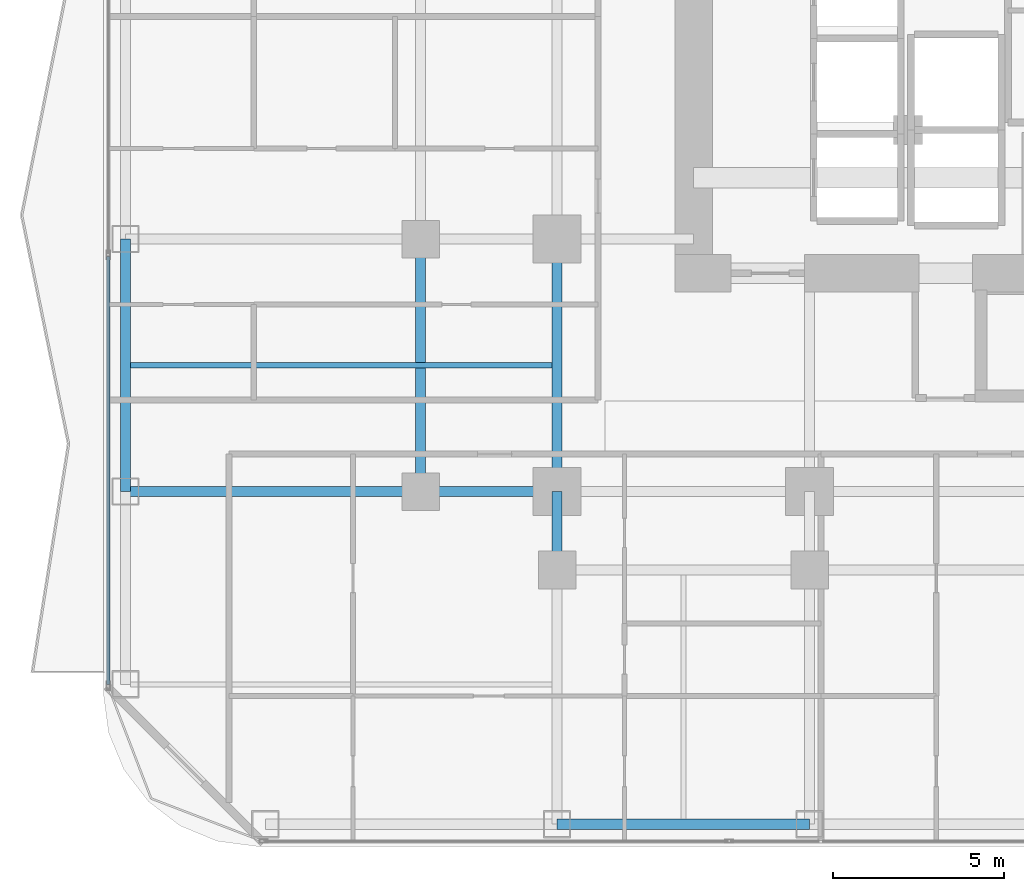
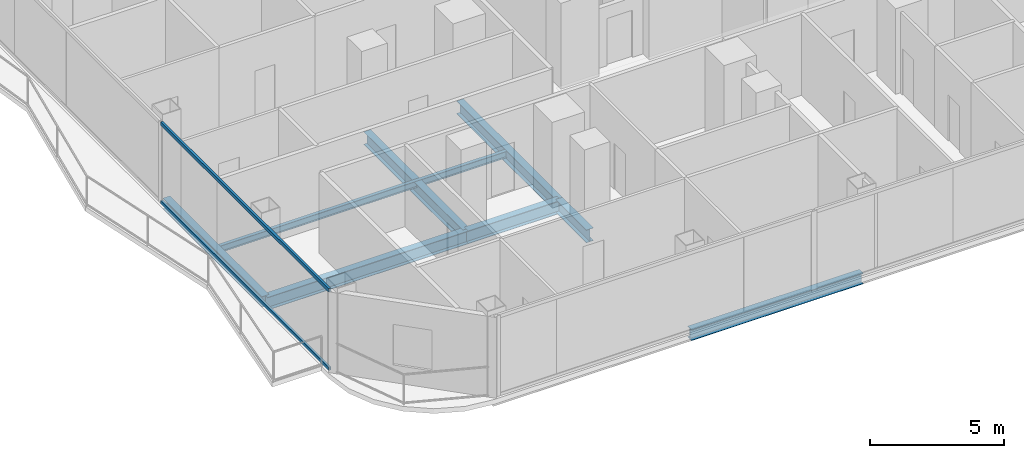
# One storey, part 3 of 29: 8 beams, 2 members, 1 element without a shape of its own.
"""IFC4 building model written with IfcOpenShell, lengths in metres."""

from ifc_helpers import new_model, si_unit, direction, frame, origin, origin_2d, place, context, subcontext, project, spatial, hollow_rectangle, i_section, extrude, material, layer, layer_set, material_profile, profile_set, type_object, element, aggregate, save


model = new_model("IFC4")

# Units and contexts
model_context = context("Model", 3, precision=1e-05, world=origin(), true_north=direction((0.0, 1.0)))
body_context = subcontext(model_context, "Body", "Model", "MODEL_VIEW")
ifc_project = project(units=[si_unit("LENGTHUNIT", "METRE"), si_unit("AREAUNIT", "SQUARE_METRE"), si_unit("VOLUMEUNIT", "CUBIC_METRE"), si_unit("PLANEANGLEUNIT", "RADIAN"), si_unit("MASSUNIT", "GRAM", prefix="KILO")], contexts=[model_context])

# Site, building, storey
site_placement = place(None, origin())
site = spatial("IfcSite", under=ifc_project, at=site_placement, CompositionType="ELEMENT")
building_placement = place(site_placement, origin())
building = spatial("IfcBuilding", under=site, at=building_placement, Name="Khorvyn Point Tower", CompositionType="ELEMENT")
storey_placement = place(building_placement, frame((0.0, 0.0, 69.60009765625)))
storey = spatial("IfcBuildingStorey", under=building, at=storey_placement, Name="L18", CompositionType="ELEMENT", Elevation=69.60009765625)

# Curtain wall, members
ifc_material_1 = material(Name="Anodised aluminium 6063-T6 and laminated Low-E glass", Category="aluminium")
ifc_layer = layer(ifc_material_1, 0.18994140625)
ifc_layer_set = layer_set([ifc_layer], Name="Stick-Built Finned Residential Curtain Wall CW-SYS-02")
curtain_wall_type = type_object("IfcCurtainWallType", Name="Stick-Built Finned Residential Curtain Wall CW-SYS-02", PredefinedType="NOTDEFINED", material=ifc_layer_set)
curtain_wall_placement = place(storey_placement, origin())
curtain_wall = element("IfcCurtainWall", 1, at=curtain_wall_placement, inside=storey, type_object=curtain_wall_type, Name="Curtain Wall", PredefinedType="NOTDEFINED")
ifc_material_2 = material(Name="Anodised aluminium 6063-T6", Category="aluminium")
ifc_material_profile_1 = material_profile(ifc_material_2, hollow_rectangle(XDim=0.10009765625, YDim=0.159912109375, WallThickness=0.00439453125, at=origin_2d()))
ifc_profile_set_1 = profile_set([ifc_material_profile_1], Name="Anodised aluminium 6063-T6 ALU-TRN-100x160")
member_type = type_object("IfcMemberType", Name="Anodised Aluminium 6063-T6 Transom ALU-TRN-100x160", PredefinedType="USERDEFINED", material=ifc_profile_set_1)
member_1_placement = place(storey_placement, frame((-27.949951171875, -20.449951171875, 0.0498046875), z_axis=(0.0, 1.0, 0.0), x_axis=(-1.0, 0.0, 0.0)))
member_1 = element("IfcMember", 2, at=member_1_placement, type_object=member_type, Name="Transom", ObjectType="TRANSOM", PredefinedType="USERDEFINED", context=body_context, shape_type="SweptSolid", body=[
    extrude(hollow_rectangle(XDim=0.10009765625, YDim=0.159912109375, WallThickness=0.00439453125, at=origin_2d()), origin(), (0.0, 0.0, 1.0), 12.534423828125),
])
member_2_placement = place(storey_placement, frame((-27.949951171875, -20.449951171875, 3.6298828125), z_axis=(0.0, 1.0, 0.0), x_axis=(-1.0, 0.0, 0.0)))
member_2 = element("IfcMember", 3, at=member_2_placement, type_object=member_type, Name="Transom", ObjectType="TRANSOM", PredefinedType="USERDEFINED", context=body_context, shape_type="SweptSolid", body=[
    extrude(hollow_rectangle(XDim=0.10009765625, YDim=0.159912109375, WallThickness=0.00439453125, at=origin_2d()), origin(), (0.0, 0.0, 1.0), 12.534423828125),
])
aggregate(curtain_wall, [member_1, member_2])

# Beams
ifc_material_3 = material(Name="Steel S355", Category="steel")
ifc_material_profile_2 = material_profile(ifc_material_3, i_section(OverallWidth=0.300048828125, OverallDepth=0.587890625, WebThickness=0.011962890625, FlangeThickness=0.02001953125, at=origin_2d()))
ifc_profile_set_2 = profile_set([ifc_material_profile_2], Name="Steel S355 H588x300x12x20")
beam_type_1 = type_object("IfcBeamType", Name="Steel S355 Beam H588x300x12x20", PredefinedType="BEAM", material=ifc_profile_set_2)
beam_1_placement = place(storey_placement, frame((-27.449951171875, -14.800048828125, -0.51416015625), z_axis=(1.0, 0.0, 0.0), x_axis=(0.0, 1.0, 0.0)))
element("IfcBeam", 4, at=beam_1_placement, inside=storey, type_object=beam_type_1, Name="Beam", PredefinedType="BEAM", context=body_context, shape_type="SweptSolid", body=[
    extrude(i_section(OverallWidth=0.300048828125, OverallDepth=0.587890625, WebThickness=0.011962890625, FlangeThickness=0.02001953125, at=origin_2d()), origin(), (0.0, 0.0, 1.0), 8.64990234375),
])
beam_2_placement = place(storey_placement, frame((-18.800048828125, -14.800048828125, -0.51416015625), z_axis=(1.0, 0.0, 0.0), x_axis=(0.0, 1.0, 0.0)))
element("IfcBeam", 5, at=beam_2_placement, inside=storey, type_object=beam_type_1, Name="Beam", PredefinedType="BEAM", context=body_context, shape_type="SweptSolid", body=[
    extrude(i_section(OverallWidth=0.300048828125, OverallDepth=0.587890625, WebThickness=0.011962890625, FlangeThickness=0.02001953125, at=origin_2d()), origin(), (0.0, 0.0, 1.0), 4.0),
])
beam_3_placement = place(storey_placement, frame((-14.800048828125, -17.10009765625, -0.51416015625), z_axis=(0.0, 1.0, 0.0), x_axis=(-1.0, 0.0, 0.0)))
element("IfcBeam", 6, at=beam_3_placement, inside=storey, type_object=beam_type_1, Name="Beam", PredefinedType="BEAM", context=body_context, shape_type="SweptSolid", body=[
    extrude(i_section(OverallWidth=0.300048828125, OverallDepth=0.587890625, WebThickness=0.011962890625, FlangeThickness=0.02001953125, at=origin_2d()), origin(), (0.0, 0.0, 1.0), 2.300048828125),
])
for number, where, z_axis, x_axis, name in (
    (7, (-14.800048828125, -14.800048828125, -0.51416015625), (0.0, 1.0, 0.0), (-1.0, 0.0, 0.0), "Beam"),
    (8, (-18.800048828125, -14.800048828125, -0.51416015625), (0.0, 1.0, 0.0), (-1.0, 0.0, 0.0), "Beam"),
):
    element("IfcBeam", number, at=place(storey_placement, frame(where, z_axis=z_axis, x_axis=x_axis)), inside=storey, type_object=beam_type_1, Name=name, PredefinedType="BEAM", context=body_context, shape_type="SweptSolid", body=[
        extrude(i_section(OverallWidth=0.300048828125, OverallDepth=0.587890625, WebThickness=0.011962890625, FlangeThickness=0.02001953125, at=origin_2d()), origin(), (0.0, 0.0, 1.0), 7.400146484375),
    ])
ifc_material_profile_3 = material_profile(ifc_material_3, i_section(OverallWidth=0.14990234375, OverallDepth=0.300048828125, WebThickness=0.006591796875, FlangeThickness=0.009033203125, at=origin_2d()))
ifc_profile_set_3 = profile_set([ifc_material_profile_3], Name="Steel S355 H300x150x6.5x9")
beam_type_2 = type_object("IfcBeamType", Name="Steel S355 Joist H300x150x6.5x9", PredefinedType="JOIST", material=ifc_profile_set_3)
beam_4_placement = place(storey_placement, frame((-27.300048828125, -11.10009765625, -0.3701171875), z_axis=(1.0, 0.0, 0.0), x_axis=(0.0, 1.0, 0.0)))
element("IfcBeam", 9, at=beam_4_placement, inside=storey, type_object=beam_type_2, Name="Beam", PredefinedType="JOIST", context=body_context, shape_type="SweptSolid", body=[
    extrude(i_section(OverallWidth=0.14990234375, OverallDepth=0.300048828125, WebThickness=0.006591796875, FlangeThickness=0.009033203125, at=origin_2d()), origin(), (0.0, 0.0, 1.0), 12.35009765625),
])
ifc_material_profile_4 = material_profile(ifc_material_3, i_section(OverallWidth=0.300048828125, OverallDepth=0.488037109375, WebThickness=0.010986328125, FlangeThickness=0.01806640625, at=origin_2d()))
ifc_profile_set_4 = profile_set([ifc_material_profile_4], Name="Steel S355 H488x300x11x18")
beam_type_3 = type_object("IfcBeamType", Name="Steel S355 Spandrel H488x300x11x18", PredefinedType="SPANDREL", material=ifc_profile_set_4)
for number, where, z_axis, x_axis, name in (
    (10, (-14.800048828125, -24.550048828125, -0.464111328125), (1.0, 0.0, 0.0), (0.0, 1.0, 0.0), "Beam"),
    (11, (-27.449951171875, -14.800048828125, -0.464111328125), (0.0, 1.0, 0.0), (-1.0, 0.0, 0.0), "Beam"),
):
    element("IfcBeam", number, at=place(storey_placement, frame(where, z_axis=z_axis, x_axis=x_axis)), inside=storey, type_object=beam_type_3, Name=name, PredefinedType="SPANDREL", context=body_context, shape_type="SweptSolid", body=[
        extrude(i_section(OverallWidth=0.300048828125, OverallDepth=0.488037109375, WebThickness=0.010986328125, FlangeThickness=0.01806640625, at=origin_2d()), origin(), (0.0, 0.0, 1.0), 7.400146484375),
    ])

save(model, "model.ifc")
